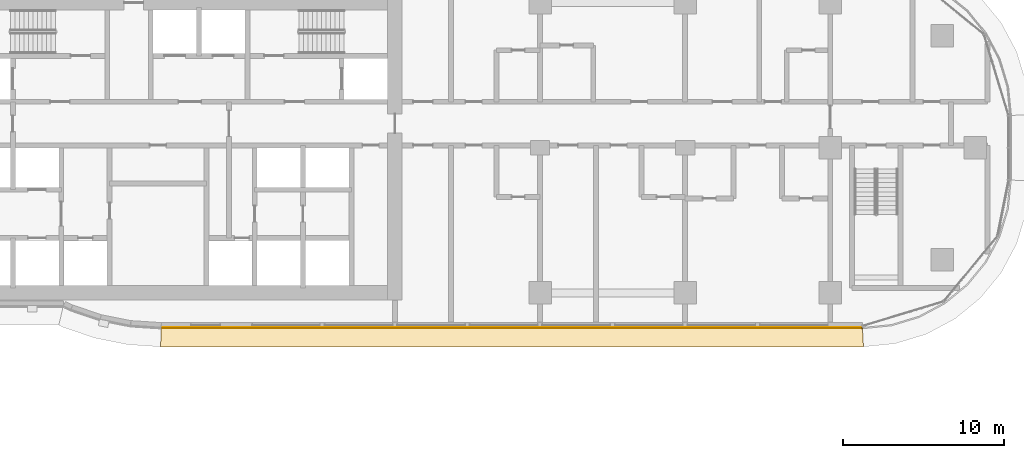
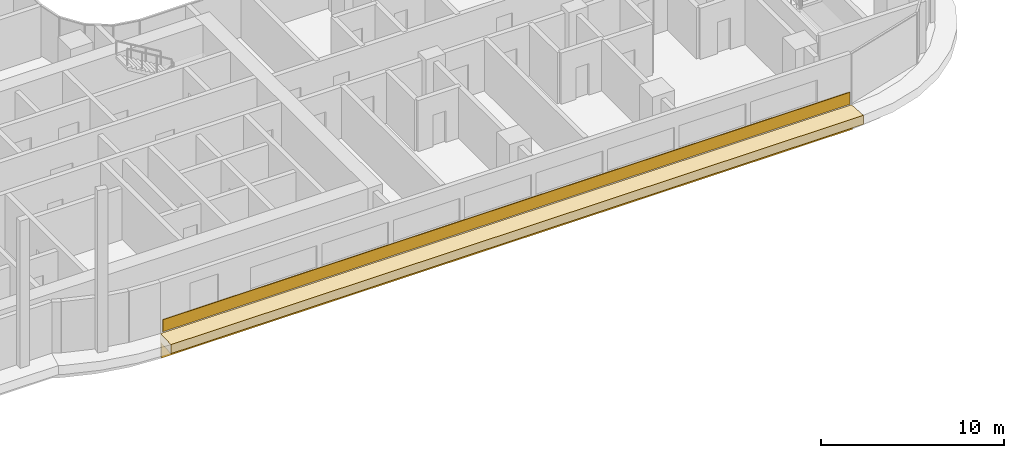
# One storey, part 30 of 36: 3 coverings.
"""IFC4 building model written with IfcOpenShell, lengths in metres."""

from ifc_helpers import new_model, si_unit, direction, frame, origin, origin_2d, place, context, subcontext, project, spatial, polyline, rectangle, outline, extrude, material, layer, layer_set, type_object, element, save


model = new_model("IFC4")

# Units and contexts
model_context = context("Model", 3, precision=1e-05, world=origin(), true_north=direction((0.0, 1.0)))
body_context = subcontext(model_context, "Body", "Model", "MODEL_VIEW")
ifc_project = project(units=[si_unit("LENGTHUNIT", "METRE"), si_unit("AREAUNIT", "SQUARE_METRE"), si_unit("VOLUMEUNIT", "CUBIC_METRE"), si_unit("PLANEANGLEUNIT", "RADIAN"), si_unit("MASSUNIT", "GRAM", prefix="KILO")], contexts=[model_context])

# Site, building, storey
site_placement = place(None, origin())
site = spatial("IfcSite", under=ifc_project, at=site_placement, CompositionType="ELEMENT")
building_placement = place(site_placement, origin())
building = spatial("IfcBuilding", under=site, at=building_placement, Name="Ogive Portal Towers", CompositionType="ELEMENT")
storey_placement = place(building_placement, frame((0.0, 0.0, 52.0)))
storey = spatial("IfcBuildingStorey", under=building, at=storey_placement, Name="L11", CompositionType="ELEMENT", Elevation=52.0)

# Coverings
ifc_material = material(Name="Limestone cladding on lightweight block wall", Category="masonry")
ifc_layer_1 = layer(ifc_material, 0.050048828125)
ifc_layer_set_1 = layer_set([ifc_layer_1], Name="SCREEN PERFORATED STONE")
covering_type_1 = type_object("IfcCoveringType", Name="SCREEN PERFORATED STONE", PredefinedType="CLADDING", material=ifc_layer_set_1)
covering_1_placement = place(storey_placement, frame((65.7490234375, 19.330078125, 0.10009765625), z_axis=(0.0, 0.0, 1.0), x_axis=(1.0, 0.0, 0.0)))
element("IfcCovering", 1, at=covering_1_placement, inside=storey, type_object=covering_type_1, Name="Tracery screen", PredefinedType="CLADDING", context=body_context, shape_type="SweptSolid", body=[
    extrude(rectangle(XDim=43.2783203125, YDim=0.050048828125, at=origin_2d()), origin(), (0.0, 0.0, 1.0), 0.800048828125),
])
ifc_layer_2 = layer(ifc_material, 0.080078125)
ifc_layer_set_2 = layer_set([ifc_layer_2], Name="STONE SPANDREL 80")
covering_type_2 = type_object("IfcCoveringType", Name="STONE SPANDREL 80", PredefinedType="CLADDING", material=ifc_layer_set_2)
covering_2_placement = place(storey_placement, frame((0.0, 0.0, -1.60009765625)))
element("IfcCovering", 2, at=covering_2_placement, inside=storey, type_object=covering_type_2, Name="Stone spandrel A1-F05", PredefinedType="CLADDING", context=body_context, shape_type="SweptSolid", body=[
    extrude(outline(polyline([(44.0, 19.35498046875), (87.5, 19.35498046875), (87.50390625, 19.27490234375), (43.997314453125, 19.27490234375), (44.0, 19.35498046875)])), origin(), (0.0, 0.0, 1.0), 1.0),
])
ifc_layer_3 = layer(ifc_material, 0.60009765625)
ifc_layer_set_3 = layer_set([ifc_layer_3], Name="SUNSHADE LIP 600")
covering_type_3 = type_object("IfcCoveringType", Name="SUNSHADE LIP 600", PredefinedType="CLADDING", material=ifc_layer_set_3)
covering_3_placement = place(storey_placement, frame((0.0, 0.0, -0.60009765625)))
element("IfcCovering", 3, at=covering_3_placement, inside=storey, type_object=covering_type_3, Name="Sunshade lip A1-F05", PredefinedType="CLADDING", context=body_context, shape_type="SweptSolid", body=[
    extrude(outline(polyline([(44.0, 19.35498046875), (87.5, 19.35498046875), (87.558837890625, 18.155029296875), (43.960693359375, 18.155029296875), (44.0, 19.35498046875)])), origin(), (0.0, 0.0, 1.0), 0.60009765625),
])

save(model, "model.ifc")
